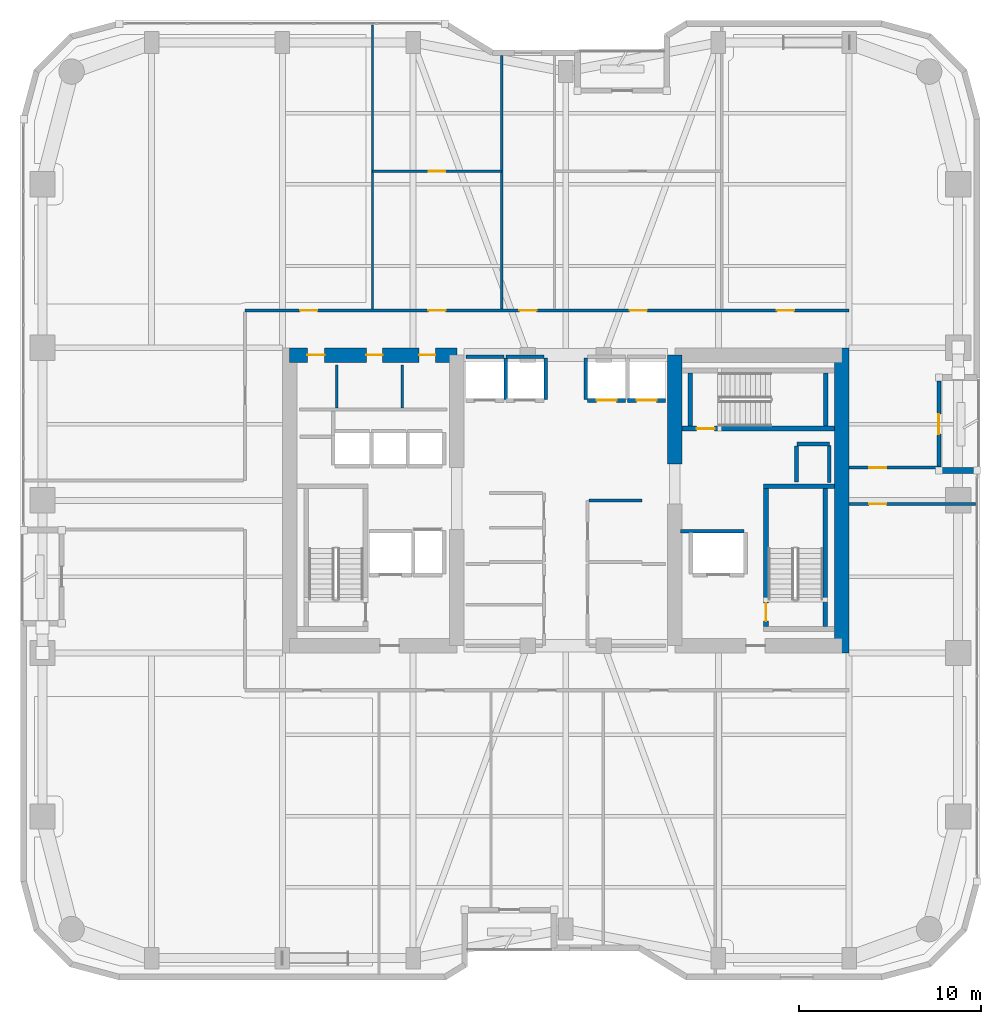
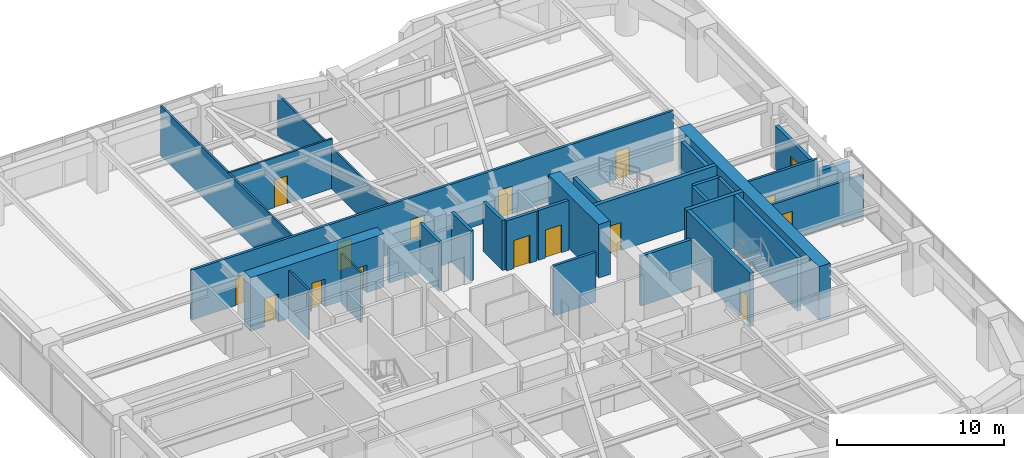
# One storey, part 20 of 24: 31 walls, 16 doors, 16 openings.
"""IFC4 building model written with IfcOpenShell, lengths in metres."""

from ifc_helpers import new_model, si_unit, direction, frame, frame_2d, origin, place, context, subcontext, project, spatial, rectangle, extrude, material, layer, layer_set, type_object, element, fill, save


model = new_model("IFC4")

# Units and contexts
model_context = context("Model", 3, precision=1e-05, world=origin(), true_north=direction((0.0, 1.0)))
body_context = subcontext(model_context, "Body", "Model", "MODEL_VIEW")
ifc_project = project(units=[si_unit("LENGTHUNIT", "METRE"), si_unit("AREAUNIT", "SQUARE_METRE"), si_unit("VOLUMEUNIT", "CUBIC_METRE"), si_unit("PLANEANGLEUNIT", "RADIAN"), si_unit("MASSUNIT", "GRAM", prefix="KILO")], contexts=[model_context])

# Site, building, storey
site_placement = place(None, origin())
site = spatial("IfcSite", under=ifc_project, at=site_placement, CompositionType="ELEMENT")
building_placement = place(site_placement, origin())
building = spatial("IfcBuilding", under=site, at=building_placement, Name="Kiyonajd Concourse Tower", CompositionType="ELEMENT")
storey_placement = place(building_placement, frame((0.0, 0.0, 137.699951171875)))
storey = spatial("IfcBuildingStorey", under=building, at=storey_placement, Name="L35", CompositionType="ELEMENT", Elevation=137.699951171875)

# Wall, openings, doors
ifc_material_1 = material(Name="Concrete C70/85", Category="concrete")
ifc_layer_1 = layer(ifc_material_1, 0.800048828125)
ifc_layer_set_1 = layer_set([ifc_layer_1], Name="Concrete C70/85")
wall_type_1 = type_object("IfcWallType", Name="WL-CORE-800", PredefinedType="SHEAR", material=ifc_layer_set_1)
wall_1_placement = place(storey_placement, frame((32.800048828125, 44.0, 0.0), z_axis=(0.0, 0.0, 1.0), x_axis=(1.0, 0.0, 0.0)))
wall_1 = element("IfcWall", 1, at=wall_1_placement, inside=storey, type_object=wall_type_1, Name="L35 West Core North Shear Wall", PredefinedType="SHEAR", context=body_context, shape_type="SweptSolid", body=[
    extrude(rectangle(XDim=9.199951171875, YDim=0.800048828125, at=frame_2d((4.60009765625, 0.0))), origin(), (0.0, 0.0, 1.0), 3.900146484375),
])
opening_1_placement = place(wall_1_placement, frame((0.97509765625, 0.0, 0.0)))
opening_1 = element("IfcOpeningElement", 2, at=opening_1_placement, cuts=wall_1, Name="Opening DI1", PredefinedType="OPENING", context=body_context, shape_type="SweptSolid", body=[
    extrude(rectangle(XDim=0.949951171875, YDim=2.0400390625, at=frame_2d((0.47509765625, 1.02001953125))), frame((0.0, 0.409912109375, 0.0), z_axis=(0.0, -1.0, 0.0), x_axis=(1.0, 0.0, 0.0)), (0.0, 0.0, 1.0), 0.820068359375),
])
opening_2_placement = place(wall_1_placement, frame((4.22509765625, 0.0, 0.0)))
opening_2 = element("IfcOpeningElement", 3, at=opening_2_placement, cuts=wall_1, Name="Opening DI2", PredefinedType="OPENING", context=body_context, shape_type="SweptSolid", body=[
    extrude(rectangle(XDim=0.89990234375, YDim=2.02001953125, at=frame_2d((0.449951171875, 1.010009765625))), frame((0.0, 0.409912109375, 0.0), z_axis=(0.0, -1.0, 0.0), x_axis=(1.0, 0.0, 0.0)), (0.0, 0.0, 1.0), 0.820068359375),
])
opening_3_placement = place(wall_1_placement, frame((7.125, 0.0, 0.0)))
opening_3 = element("IfcOpeningElement", 4, at=opening_3_placement, cuts=wall_1, Name="Opening DI2", PredefinedType="OPENING", context=body_context, shape_type="SweptSolid", body=[
    extrude(rectangle(XDim=0.89990234375, YDim=2.02001953125, at=frame_2d((0.449951171875, 1.010009765625))), frame((0.0, 0.409912109375, 0.0), z_axis=(0.0, -1.0, 0.0), x_axis=(1.0, 0.0, 0.0)), (0.0, 0.0, 1.0), 0.820068359375),
])
ifc_material_2 = material(Name="Natural Oak Acoustic Timber Veneer", Category="wood")
door_type_1 = type_object("IfcDoorType", Name="DR-INT-900", OperationType="NOTDEFINED", PredefinedType="DOOR", material=ifc_material_2)
door_1_placement = place(opening_2_placement, origin())
door_1 = element("IfcDoor", 5, at=door_1_placement, inside=storey, type_object=door_type_1, Name="L35 Male Restroom Door", OperationType="SINGLE_SWING_RIGHT", OverallHeight=2.02001953125, OverallWidth=0.89990234375, PredefinedType="DOOR", context=body_context, shape_type="SweptSolid", body=[
    extrude(rectangle(XDim=0.89990234375, YDim=2.02001953125, at=frame_2d((0.449951171875, 1.010009765625))), frame((0.0, 0.02490234375, 0.0), z_axis=(0.0, -1.0, 0.0), x_axis=(1.0, 0.0, 0.0)), (0.0, 0.0, 1.0), 0.050048828125),
])
fill(opening_2, door_1)
door_2_placement = place(opening_3_placement, origin())
door_2 = element("IfcDoor", 6, at=door_2_placement, inside=storey, type_object=door_type_1, Name="L35 Female Restroom Door", OperationType="SINGLE_SWING_LEFT", OverallHeight=2.02001953125, OverallWidth=0.89990234375, PredefinedType="DOOR", context=body_context, shape_type="SweptSolid", body=[
    extrude(rectangle(XDim=0.89990234375, YDim=2.02001953125, at=frame_2d((0.449951171875, 1.010009765625))), frame((0.0, 0.02490234375, 0.0), z_axis=(0.0, -1.0, 0.0), x_axis=(1.0, 0.0, 0.0)), (0.0, 0.0, 1.0), 0.050048828125),
])
fill(opening_3, door_2)
door_type_2 = type_object("IfcDoorType", Name="DR-INT-950", OperationType="NOTDEFINED", PredefinedType="DOOR", material=ifc_material_2)
door_3_placement = place(opening_1_placement, origin())
door_3 = element("IfcDoor", 7, at=door_3_placement, inside=storey, type_object=door_type_2, Name="L35 Single User Accessible WC Door", OperationType="SINGLE_SWING_LEFT", OverallHeight=2.0400390625, OverallWidth=0.949951171875, PredefinedType="DOOR", context=body_context, shape_type="SweptSolid", body=[
    extrude(rectangle(XDim=0.949951171875, YDim=2.0400390625, at=frame_2d((0.47509765625, 1.02001953125))), frame((0.0, 0.02490234375, 0.0), z_axis=(0.0, -1.0, 0.0), x_axis=(1.0, 0.0, 0.0)), (0.0, 0.0, 1.0), 0.050048828125),
])
fill(opening_1, door_3)

# Walls
wall_2_placement = place(storey_placement, frame((54.0, 38.0, 0.0), z_axis=(0.0, 0.0, 1.0), x_axis=(0.0, 1.0, 0.0)))
element("IfcWall", 8, at=wall_2_placement, inside=storey, type_object=wall_type_1, Name="L35 East Core Inner North Shear Wall", PredefinedType="SHEAR", context=body_context, shape_type="SweptSolid", body=[
    extrude(rectangle(XDim=6.0, YDim=0.800048828125, at=frame_2d((3.0, 0.0))), origin(), (0.0, 0.0, 1.0), 3.900146484375),
])
wall_3_placement = place(storey_placement, frame((63.199951171875, 27.60009765625, 0.0), z_axis=(0.0, 0.0, 1.0), x_axis=(0.0, 1.0, 0.0)))
element("IfcWall", 9, at=wall_3_placement, inside=storey, type_object=wall_type_1, Name="L35 East Core Outer Shear Wall", PredefinedType="SHEAR", context=body_context, shape_type="SweptSolid", body=[
    extrude(rectangle(XDim=16.7998046875, YDim=0.800048828125, at=frame_2d((8.39990234375, 0.0))), origin(), (0.0, 0.0, 1.0), 3.900146484375),
])
ifc_material_3 = material(Name="Precast concrete C50/60", Category="concrete")
ifc_layer_2 = layer(ifc_material_3, 0.320068359375)
ifc_layer_set_2 = layer_set([ifc_layer_2], Name="Precast concrete C50/60")
wall_type_2 = type_object("IfcWallType", Name="WL-EXT-320", PredefinedType="SOLIDWALL", material=ifc_layer_set_2)
wall_4_placement = place(storey_placement, frame((68.5400390625, 37.639892578125, 0.0), z_axis=(0.0, 0.0, 1.0), x_axis=(1.0, 0.0, 0.0)))
element("IfcWall", 10, at=wall_4_placement, inside=storey, type_object=wall_type_2, Name="L35 Exterior Concrete Frame Wall 23", PredefinedType="SOLIDWALL", context=body_context, shape_type="SweptSolid", body=[
    extrude(rectangle(XDim=2.099853515625, YDim=0.320068359375, at=frame_2d((1.0498046875, 0.0))), origin(), (0.0, 0.0, 1.0), 2.875),
])

# Wall, opening, door
ifc_layer_3 = layer(ifc_material_3, 0.239990234375)
ifc_layer_set_3 = layer_set([ifc_layer_3], Name="Precast concrete C50/60")
wall_type_3 = type_object("IfcWallType", Name="WL-LOG-240", PredefinedType="SOLIDWALL", material=ifc_layer_set_3)
wall_5_placement = place(storey_placement, frame((68.5400390625, 42.56494140625, 0.0), z_axis=(0.0, 0.0, 1.0), x_axis=(0.0, -1.0, 0.0)))
wall_5 = element("IfcWall", 11, at=wall_5_placement, inside=storey, type_object=wall_type_3, Name="L35 Recessed Loggia Thermal Wall LOG-E", PredefinedType="SOLIDWALL", context=body_context, shape_type="SweptSolid", body=[
    extrude(rectangle(XDim=4.72998046875, YDim=0.239990234375, at=frame_2d((2.364990234375, 0.0))), origin(), (0.0, 0.0, 1.0), 3.162109375),
])
opening_4_placement = place(wall_5_placement, frame((1.81494140625, 0.0, 0.0)))
opening_4 = element("IfcOpeningElement", 12, at=opening_4_placement, cuts=wall_5, Name="Opening DL2", PredefinedType="OPENING", context=body_context, shape_type="SweptSolid", body=[
    extrude(rectangle(XDim=1.10009765625, YDim=2.0400390625, at=frame_2d((0.550048828125, 1.02001953125))), frame((0.0, 0.1298828125, 0.0), z_axis=(0.0, -1.0, 0.0), x_axis=(1.0, 0.0, 0.0)), (0.0, 0.0, 1.0), 0.260009765625),
])
ifc_material_4 = material(Name="Thermally Broken Anodised Aluminium", Category="aluminium")
door_type_3 = type_object("IfcDoorType", Name="DR-LOG-1100", OperationType="NOTDEFINED", PredefinedType="DOOR", material=ifc_material_4)
door_4_placement = place(opening_4_placement, origin())
door_4 = element("IfcDoor", 13, at=door_4_placement, inside=storey, type_object=door_type_3, Name="L35 Engawa Loggia Access Door LOG-E", OperationType="SINGLE_SWING_LEFT", OverallHeight=2.0400390625, OverallWidth=1.10009765625, PredefinedType="DOOR", context=body_context, shape_type="SweptSolid", body=[
    extrude(rectangle(XDim=1.10009765625, YDim=2.0400390625, at=frame_2d((0.550048828125, 1.02001953125))), frame((0.0, 0.02490234375, 0.0), z_axis=(0.0, -1.0, 0.0), x_axis=(1.0, 0.0, 0.0)), (0.0, 0.0, 1.0), 0.050048828125),
])
fill(opening_4, door_4)

# Walls
ifc_material_5 = material(Name="Gypsum Board on Cold-Formed Steel Stud", Category="steel")
ifc_layer_4 = layer(ifc_material_5, 0.125)
ifc_layer_set_4 = layer_set([ifc_layer_4], Name="Gypsum Board on Cold-Formed Steel Stud")
wall_type_4 = type_object("IfcWallType", Name="WL-PART-125", PredefinedType="PARTITIONING", material=ifc_layer_set_4)
for number, where, z_axis, x_axis, name in (
    (14, (35.39990234375, 41.094970703125, 0.0), (0.0, 0.0, 1.0), (0.0, 1.0, 0.0), "L35 Interior Partition Wall"),
    (15, (39.0, 41.094970703125, 0.0), (0.0, 0.0, 1.0), (0.0, 1.0, 0.0), "L35 Interior Partition Wall"),
):
    element("IfcWall", number, at=place(storey_placement, frame(where, z_axis=z_axis, x_axis=x_axis)), inside=storey, type_object=wall_type_4, Name=name, PredefinedType="PARTITIONING", context=body_context, shape_type="SweptSolid", body=[
        extrude(rectangle(XDim=2.35498046875, YDim=0.125, at=frame_2d((1.177490234375, 0.0))), origin(), (0.0, 0.0, 1.0), 3.64013671875),
    ])

# Wall, opening, door
wall_6_placement = place(storey_placement, frame((37.360107421875, 54.110107421875, 0.0), z_axis=(0.0, 0.0, 1.0), x_axis=(1.0, 0.0, 0.0)))
wall_6 = element("IfcWall", 16, at=wall_6_placement, inside=storey, type_object=wall_type_4, Name="L35 Interior Partition Wall", PredefinedType="PARTITIONING", context=body_context, shape_type="SweptSolid", body=[
    extrude(rectangle(XDim=7.10986328125, YDim=0.125, at=frame_2d((3.554931640625, 0.0))), origin(), (0.0, 0.0, 1.0), 3.64013671875),
])
opening_5_placement = place(wall_6_placement, frame((3.10498046875, 0.0, 0.0)))
opening_5 = element("IfcOpeningElement", 17, at=opening_5_placement, cuts=wall_6, Name="Opening DI2", PredefinedType="OPENING", context=body_context, shape_type="SweptSolid", body=[
    extrude(rectangle(XDim=0.89990234375, YDim=2.02001953125, at=frame_2d((0.449951171875, 1.010009765625))), frame((0.0, 0.072509765625, 0.0), z_axis=(0.0, -1.0, 0.0), x_axis=(1.0, 0.0, 0.0)), (0.0, 0.0, 1.0), 0.14501953125),
])
door_5_placement = place(opening_5_placement, origin())
door_5 = element("IfcDoor", 18, at=door_5_placement, inside=storey, type_object=door_type_1, Name="L35 Interior Door", OperationType="SINGLE_SWING_RIGHT", OverallHeight=2.02001953125, OverallWidth=0.89990234375, PredefinedType="DOOR", context=body_context, shape_type="SweptSolid", body=[
    extrude(rectangle(XDim=0.89990234375, YDim=2.02001953125, at=frame_2d((0.449951171875, 1.010009765625))), frame((0.0, 0.02490234375, 0.0), z_axis=(0.0, -1.0, 0.0), x_axis=(1.0, 0.0, 0.0)), (0.0, 0.0, 1.0), 0.050048828125),
])
fill(opening_5, door_5)

# Walls
wall_7_placement = place(storey_placement, frame((37.360107421875, 46.537109375, 0.0), z_axis=(0.0, 0.0, 1.0), x_axis=(0.0, 1.0, 0.0)))
element("IfcWall", 19, at=wall_7_placement, inside=storey, type_object=wall_type_4, Name="L35 Interior Partition Wall", PredefinedType="PARTITIONING", context=body_context, shape_type="SweptSolid", body=[
    extrude(rectangle(XDim=15.617919921875, YDim=0.125, at=frame_2d((7.80908203125, 0.0))), origin(), (0.0, 0.0, 1.0), 3.64013671875),
])
wall_8_placement = place(storey_placement, frame((44.469970703125, 46.537109375, 0.0), z_axis=(0.0, 0.0, 1.0), x_axis=(0.0, 1.0, 0.0)))
element("IfcWall", 20, at=wall_8_placement, inside=storey, type_object=wall_type_4, Name="L35 Interior Partition Wall", PredefinedType="PARTITIONING", context=body_context, shape_type="SweptSolid", body=[
    extrude(rectangle(XDim=13.947998046875, YDim=0.125, at=frame_2d((6.97412109375, 0.0))), origin(), (0.0, 0.0, 1.0), 3.0029296875),
])
ifc_layer_5 = layer(ifc_material_5, 0.2099609375)
ifc_layer_set_5 = layer_set([ifc_layer_5], Name="Gypsum Board on Cold-Formed Steel Stud")
wall_type_5 = type_object("IfcWallType", Name="WL-SHAFT-210", PredefinedType="PARTITIONING", material=ifc_layer_set_5)
wall_9_placement = place(storey_placement, frame((60.719970703125, 39.10009765625, 0.0), z_axis=(0.0, 0.0, 1.0), x_axis=(1.0, 0.0, 0.0)))
element("IfcWall", 21, at=wall_9_placement, inside=storey, type_object=wall_type_5, Name="L35 Shaft Enclosure Wall", PredefinedType="PARTITIONING", context=body_context, shape_type="SweptSolid", body=[
    extrude(rectangle(XDim=1.800048828125, YDim=0.2099609375, at=frame_2d((0.89990234375, 0.0))), origin(), (0.0, 0.0, 1.0), 3.64013671875),
])
wall_10_placement = place(storey_placement, frame((60.699951171875, 37.02001953125, 0.0), z_axis=(0.0, 0.0, 1.0), x_axis=(0.0, 1.0, 0.0)))
element("IfcWall", 22, at=wall_10_placement, inside=storey, type_object=wall_type_5, Name="L35 Shaft Enclosure Wall", PredefinedType="PARTITIONING", context=body_context, shape_type="SweptSolid", body=[
    extrude(rectangle(XDim=1.9599609375, YDim=0.2099609375, at=frame_2d((0.97998046875, 0.0))), origin(), (0.0, 0.0, 1.0), 3.64013671875),
])
wall_11_placement = place(storey_placement, frame((62.5, 36.97998046875, 0.0), z_axis=(0.0, 0.0, 1.0), x_axis=(0.0, 1.0, 0.0)))
element("IfcWall", 23, at=wall_11_placement, inside=storey, type_object=wall_type_5, Name="L35 Shaft Enclosure Wall", PredefinedType="PARTITIONING", context=body_context, shape_type="SweptSolid", body=[
    extrude(rectangle(XDim=2.0400390625, YDim=0.2099609375, at=frame_2d((1.02001953125, 0.0))), origin(), (0.0, 0.0, 1.0), 3.64013671875),
])
wall_12_placement = place(storey_placement, frame((54.320068359375, 34.300048828125, 0.0), z_axis=(0.0, 0.0, 1.0), x_axis=(1.0, 0.0, 0.0)))
element("IfcWall", 24, at=wall_12_placement, inside=storey, type_object=wall_type_5, Name="L35 Shaft Enclosure Wall", PredefinedType="PARTITIONING", context=body_context, shape_type="SweptSolid", body=[
    extrude(rectangle(XDim=3.47998046875, YDim=0.2099609375, at=frame_2d((1.739990234375, 0.0))), origin(), (0.0, 0.0, 1.0), 3.64013671875),
])
wall_13_placement = place(storey_placement, frame((42.5, 43.89990234375, 0.0), z_axis=(0.0, 0.0, 1.0), x_axis=(1.0, 0.0, 0.0)))
element("IfcWall", 25, at=wall_13_placement, inside=storey, type_object=wall_type_5, Name="L35 Shaft Enclosure Wall", PredefinedType="PARTITIONING", context=body_context, shape_type="SweptSolid", body=[
    extrude(rectangle(XDim=2.10009765625, YDim=0.2099609375, at=frame_2d((1.050048828125, 0.0))), origin(), (0.0, 0.0, 1.0), 2.525146484375),
])
wall_14_placement = place(storey_placement, frame((44.699951171875, 41.56005859375, 0.0), z_axis=(0.0, 0.0, 1.0), x_axis=(0.0, 1.0, 0.0)))
element("IfcWall", 26, at=wall_14_placement, inside=storey, type_object=wall_type_5, Name="L35 Shaft Enclosure Wall", PredefinedType="PARTITIONING", context=body_context, shape_type="SweptSolid", body=[
    extrude(rectangle(XDim=2.280029296875, YDim=0.2099609375, at=frame_2d((1.14013671875, 0.0))), origin(), (0.0, 0.0, 1.0), 3.64013671875),
])
wall_15_placement = place(storey_placement, frame((44.699951171875, 43.89990234375, 0.0), z_axis=(0.0, 0.0, 1.0), x_axis=(1.0, 0.0, 0.0)))
element("IfcWall", 27, at=wall_15_placement, inside=storey, type_object=wall_type_5, Name="L35 Shaft Enclosure Wall", PredefinedType="PARTITIONING", context=body_context, shape_type="SweptSolid", body=[
    extrude(rectangle(XDim=2.10009765625, YDim=0.2099609375, at=frame_2d((1.050048828125, 0.0))), origin(), (0.0, 0.0, 1.0), 2.525146484375),
])
wall_16_placement = place(storey_placement, frame((46.89990234375, 41.56005859375, 0.0), z_axis=(0.0, 0.0, 1.0), x_axis=(0.0, 1.0, 0.0)))
element("IfcWall", 28, at=wall_16_placement, inside=storey, type_object=wall_type_5, Name="L35 Shaft Enclosure Wall", PredefinedType="PARTITIONING", context=body_context, shape_type="SweptSolid", body=[
    extrude(rectangle(XDim=2.280029296875, YDim=0.2099609375, at=frame_2d((1.14013671875, 0.0))), origin(), (0.0, 0.0, 1.0), 3.64013671875),
])

# Wall, opening, door
wall_17_placement = place(storey_placement, frame((49.199951171875, 41.5, 0.0), z_axis=(0.0, 0.0, 1.0), x_axis=(1.0, 0.0, 0.0)))
wall_17 = element("IfcWall", 29, at=wall_17_placement, inside=storey, type_object=wall_type_5, Name="L35 Shaft Enclosure Wall", PredefinedType="PARTITIONING", context=body_context, shape_type="SweptSolid", body=[
    extrude(rectangle(XDim=2.10009765625, YDim=0.2099609375, at=frame_2d((1.050048828125, 0.0))), origin(), (0.0, 0.0, 1.0), 3.64013671875),
])
opening_6_placement = place(wall_17_placement, frame((0.5, 0.0, 0.0)))
opening_6 = element("IfcOpeningElement", 30, at=opening_6_placement, cuts=wall_17, Name="Opening LD1", PredefinedType="OPENING", context=body_context, shape_type="SweptSolid", body=[
    extrude(rectangle(XDim=1.10009765625, YDim=2.0400390625, at=frame_2d((0.550048828125, 1.02001953125))), frame((0.0, 0.114990234375, 0.0), z_axis=(0.0, -1.0, 0.0), x_axis=(1.0, 0.0, 0.0)), (0.0, 0.0, 1.0), 0.22998046875),
])
ifc_material_6 = material(Name="Brushed Stainless Steel Cab Assembly", Category="steel")
door_type_4 = type_object("IfcDoorType", Name="DR-LD-1100", OperationType="DOUBLE_DOOR_SLIDING", PredefinedType="DOOR", material=ifc_material_6)
door_6_placement = place(opening_6_placement, origin())
door_6 = element("IfcDoor", 31, at=door_6_placement, inside=storey, type_object=door_type_4, Name="L35 Lift PL-M3 Sliding Landing Door", OperationType="DOUBLE_DOOR_SLIDING", OverallHeight=2.0400390625, OverallWidth=1.10009765625, PredefinedType="DOOR", context=body_context, shape_type="SweptSolid", body=[
    extrude(rectangle(XDim=1.10009765625, YDim=2.0400390625, at=frame_2d((0.550048828125, 1.02001953125))), frame((0.0, 0.02490234375, 0.0), z_axis=(0.0, -1.0, 0.0), x_axis=(1.0, 0.0, 0.0)), (0.0, 0.0, 1.0), 0.050048828125),
])
fill(opening_6, door_6)

# Wall
wall_18_placement = place(storey_placement, frame((49.10009765625, 41.56005859375, 0.0), z_axis=(0.0, 0.0, 1.0), x_axis=(0.0, 1.0, 0.0)))
element("IfcWall", 32, at=wall_18_placement, inside=storey, type_object=wall_type_5, Name="L35 Shaft Enclosure Wall", PredefinedType="PARTITIONING", context=body_context, shape_type="SweptSolid", body=[
    extrude(rectangle(XDim=2.280029296875, YDim=0.2099609375, at=frame_2d((1.14013671875, 0.0))), origin(), (0.0, 0.0, 1.0), 3.64013671875),
])

# Wall, opening, door
wall_19_placement = place(storey_placement, frame((51.39990234375, 41.5, 0.0), z_axis=(0.0, 0.0, 1.0), x_axis=(1.0, 0.0, 0.0)))
wall_19 = element("IfcWall", 33, at=wall_19_placement, inside=storey, type_object=wall_type_5, Name="L35 Shaft Enclosure Wall", PredefinedType="PARTITIONING", context=body_context, shape_type="SweptSolid", body=[
    extrude(rectangle(XDim=2.10009765625, YDim=0.2099609375, at=frame_2d((1.050048828125, 0.0))), origin(), (0.0, 0.0, 1.0), 3.64013671875),
])
opening_7_placement = place(wall_19_placement, frame((0.5, 0.0, 0.0)))
opening_7 = element("IfcOpeningElement", 34, at=opening_7_placement, cuts=wall_19, Name="Opening LD1", PredefinedType="OPENING", context=body_context, shape_type="SweptSolid", body=[
    extrude(rectangle(XDim=1.10009765625, YDim=2.0400390625, at=frame_2d((0.550048828125, 1.02001953125))), frame((0.0, 0.114990234375, 0.0), z_axis=(0.0, -1.0, 0.0), x_axis=(1.0, 0.0, 0.0)), (0.0, 0.0, 1.0), 0.22998046875),
])
door_7_placement = place(opening_7_placement, origin())
door_7 = element("IfcDoor", 35, at=door_7_placement, inside=storey, type_object=door_type_4, Name="L35 Lift PL-M4 Sliding Landing Door", OperationType="DOUBLE_DOOR_SLIDING", OverallHeight=2.0400390625, OverallWidth=1.10009765625, PredefinedType="DOOR", context=body_context, shape_type="SweptSolid", body=[
    extrude(rectangle(XDim=1.10009765625, YDim=2.0400390625, at=frame_2d((0.550048828125, 1.02001953125))), frame((0.0, 0.02490234375, 0.0), z_axis=(0.0, -1.0, 0.0), x_axis=(1.0, 0.0, 0.0)), (0.0, 0.0, 1.0), 0.050048828125),
])
fill(opening_7, door_7)

# Wall
ifc_layer_6 = layer(ifc_material_5, 0.169921875)
ifc_layer_set_6 = layer_set([ifc_layer_6], Name="Gypsum Board on Cold-Formed Steel Stud")
wall_type_6 = type_object("IfcWallType", Name="WL-SMK-170", PredefinedType="PARTITIONING", material=ifc_layer_set_6)
wall_20_placement = place(storey_placement, frame((49.287109375, 36.0, 0.0), z_axis=(0.0, 0.0, 1.0), x_axis=(1.0, 0.0, 0.0)))
element("IfcWall", 36, at=wall_20_placement, inside=storey, type_object=wall_type_6, Name="L35 Interior Partition Wall", PredefinedType="PARTITIONING", context=body_context, shape_type="SweptSolid", body=[
    extrude(rectangle(XDim=2.912841796875, YDim=0.169921875, at=frame_2d((1.45654296875, 0.0))), origin(), (0.0, 0.0, 1.0), 3.64013671875),
])

# Wall, openings, doors
wall_21_placement = place(storey_placement, frame((30.35009765625, 46.449951171875, 0.0), z_axis=(0.0, 0.0, 1.0), x_axis=(1.0, 0.0, 0.0)))
wall_21 = element("IfcWall", 37, at=wall_21_placement, inside=storey, type_object=wall_type_6, Name="L35 Interior Partition Wall", PredefinedType="PARTITIONING", context=body_context, shape_type="SweptSolid", body=[
    extrude(rectangle(XDim=33.25, YDim=0.169921875, at=frame_2d((16.625, 0.0))), origin(), (0.0, 0.0, 1.0), 3.64013671875),
])
opening_8_placement = place(wall_21_placement, frame((3.030029296875, 0.0, 0.0)))
opening_8 = element("IfcOpeningElement", 38, at=opening_8_placement, cuts=wall_21, Name="Opening DI1", PredefinedType="OPENING", context=body_context, shape_type="SweptSolid", body=[
    extrude(rectangle(XDim=0.949951171875, YDim=2.0400390625, at=frame_2d((0.47509765625, 1.02001953125))), frame((0.0, 0.094970703125, 0.0), z_axis=(0.0, -1.0, 0.0), x_axis=(1.0, 0.0, 0.0)), (0.0, 0.0, 1.0), 0.18994140625),
])
opening_9_placement = place(wall_21_placement, frame((10.090087890625, 0.0, 0.0)))
opening_9 = element("IfcOpeningElement", 39, at=opening_9_placement, cuts=wall_21, Name="Opening DI1", PredefinedType="OPENING", context=body_context, shape_type="SweptSolid", body=[
    extrude(rectangle(XDim=0.949951171875, YDim=2.0400390625, at=frame_2d((0.47509765625, 1.02001953125))), frame((0.0, 0.094970703125, 0.0), z_axis=(0.0, -1.0, 0.0), x_axis=(1.0, 0.0, 0.0)), (0.0, 0.0, 1.0), 0.18994140625),
])
opening_10_placement = place(wall_21_placement, frame((15.10009765625, 0.0, 0.0)))
opening_10 = element("IfcOpeningElement", 40, at=opening_10_placement, cuts=wall_21, Name="Opening DI1", PredefinedType="OPENING", context=body_context, shape_type="SweptSolid", body=[
    extrude(rectangle(XDim=0.949951171875, YDim=2.0400390625, at=frame_2d((0.47509765625, 1.02001953125))), frame((0.0, 0.094970703125, 0.0), z_axis=(0.0, -1.0, 0.0), x_axis=(1.0, 0.0, 0.0)), (0.0, 0.0, 1.0), 0.18994140625),
])
opening_11_placement = place(wall_21_placement, frame((21.159912109375, 0.0, 0.0)))
opening_11 = element("IfcOpeningElement", 41, at=opening_11_placement, cuts=wall_21, Name="Opening DI1", PredefinedType="OPENING", context=body_context, shape_type="SweptSolid", body=[
    extrude(rectangle(XDim=0.949951171875, YDim=2.0400390625, at=frame_2d((0.47509765625, 1.02001953125))), frame((0.0, 0.094970703125, 0.0), z_axis=(0.0, -1.0, 0.0), x_axis=(1.0, 0.0, 0.0)), (0.0, 0.0, 1.0), 0.18994140625),
])
opening_12_placement = place(wall_21_placement, frame((29.27001953125, 0.0, 0.0)))
opening_12 = element("IfcOpeningElement", 42, at=opening_12_placement, cuts=wall_21, Name="Opening DI1", PredefinedType="OPENING", context=body_context, shape_type="SweptSolid", body=[
    extrude(rectangle(XDim=0.949951171875, YDim=2.0400390625, at=frame_2d((0.47509765625, 1.02001953125))), frame((0.0, 0.094970703125, 0.0), z_axis=(0.0, -1.0, 0.0), x_axis=(1.0, 0.0, 0.0)), (0.0, 0.0, 1.0), 0.18994140625),
])
door_8_placement = place(opening_8_placement, origin())
door_8 = element("IfcDoor", 43, at=door_8_placement, inside=storey, type_object=door_type_2, Name="L35 Interior Door", OperationType="SINGLE_SWING_LEFT", OverallHeight=2.0400390625, OverallWidth=0.949951171875, PredefinedType="DOOR", context=body_context, shape_type="SweptSolid", body=[
    extrude(rectangle(XDim=0.949951171875, YDim=2.0400390625, at=frame_2d((0.47509765625, 1.02001953125))), frame((0.0, 0.02490234375, 0.0), z_axis=(0.0, -1.0, 0.0), x_axis=(1.0, 0.0, 0.0)), (0.0, 0.0, 1.0), 0.050048828125),
])
fill(opening_8, door_8)
door_9_placement = place(opening_9_placement, origin())
door_9 = element("IfcDoor", 44, at=door_9_placement, inside=storey, type_object=door_type_2, Name="L35 Interior Door", OperationType="SINGLE_SWING_LEFT", OverallHeight=2.0400390625, OverallWidth=0.949951171875, PredefinedType="DOOR", context=body_context, shape_type="SweptSolid", body=[
    extrude(rectangle(XDim=0.949951171875, YDim=2.0400390625, at=frame_2d((0.47509765625, 1.02001953125))), frame((0.0, 0.02490234375, 0.0), z_axis=(0.0, -1.0, 0.0), x_axis=(1.0, 0.0, 0.0)), (0.0, 0.0, 1.0), 0.050048828125),
])
fill(opening_9, door_9)
door_10_placement = place(opening_10_placement, origin())
door_10 = element("IfcDoor", 45, at=door_10_placement, inside=storey, type_object=door_type_2, Name="L35 Interior Door", OperationType="SINGLE_SWING_RIGHT", OverallHeight=2.0400390625, OverallWidth=0.949951171875, PredefinedType="DOOR", context=body_context, shape_type="SweptSolid", body=[
    extrude(rectangle(XDim=0.949951171875, YDim=2.0400390625, at=frame_2d((0.47509765625, 1.02001953125))), frame((0.0, 0.02490234375, 0.0), z_axis=(0.0, -1.0, 0.0), x_axis=(1.0, 0.0, 0.0)), (0.0, 0.0, 1.0), 0.050048828125),
])
fill(opening_10, door_10)
door_11_placement = place(opening_11_placement, origin())
door_11 = element("IfcDoor", 46, at=door_11_placement, inside=storey, type_object=door_type_2, Name="L35 Interior Door", OperationType="SINGLE_SWING_RIGHT", OverallHeight=2.0400390625, OverallWidth=0.949951171875, PredefinedType="DOOR", context=body_context, shape_type="SweptSolid", body=[
    extrude(rectangle(XDim=0.949951171875, YDim=2.0400390625, at=frame_2d((0.47509765625, 1.02001953125))), frame((0.0, 0.02490234375, 0.0), z_axis=(0.0, -1.0, 0.0), x_axis=(1.0, 0.0, 0.0)), (0.0, 0.0, 1.0), 0.050048828125),
])
fill(opening_11, door_11)
door_12_placement = place(opening_12_placement, origin())
door_12 = element("IfcDoor", 47, at=door_12_placement, inside=storey, type_object=door_type_2, Name="L35 Interior Door", OperationType="SINGLE_SWING_LEFT", OverallHeight=2.0400390625, OverallWidth=0.949951171875, PredefinedType="DOOR", context=body_context, shape_type="SweptSolid", body=[
    extrude(rectangle(XDim=0.949951171875, YDim=2.0400390625, at=frame_2d((0.47509765625, 1.02001953125))), frame((0.0, 0.02490234375, 0.0), z_axis=(0.0, -1.0, 0.0), x_axis=(1.0, 0.0, 0.0)), (0.0, 0.0, 1.0), 0.050048828125),
])
fill(opening_12, door_12)

# Wall, opening, door
wall_22_placement = place(storey_placement, frame((63.60009765625, 35.800048828125, 0.0), z_axis=(0.0, 0.0, 1.0), x_axis=(1.0, 0.0, 0.0)))
wall_22 = element("IfcWall", 48, at=wall_22_placement, inside=storey, type_object=wall_type_6, Name="L35 Interior Partition Wall", PredefinedType="PARTITIONING", context=body_context, shape_type="SweptSolid", body=[
    extrude(rectangle(XDim=6.954833984375, YDim=0.169921875, at=frame_2d((3.4775390625, 0.0))), origin(), (0.0, 0.0, 1.0), 3.0029296875),
])
opening_13_placement = place(wall_22_placement, frame((1.10009765625, 0.0, 0.0)))
opening_13 = element("IfcOpeningElement", 49, at=opening_13_placement, cuts=wall_22, Name="Opening DI1", PredefinedType="OPENING", context=body_context, shape_type="SweptSolid", body=[
    extrude(rectangle(XDim=0.949951171875, YDim=2.0400390625, at=frame_2d((0.47509765625, 1.02001953125))), frame((0.0, 0.094970703125, 0.0), z_axis=(0.0, -1.0, 0.0), x_axis=(1.0, 0.0, 0.0)), (0.0, 0.0, 1.0), 0.18994140625),
])
door_13_placement = place(opening_13_placement, origin())
door_13 = element("IfcDoor", 50, at=door_13_placement, inside=storey, type_object=door_type_2, Name="L35 Interior Door", OperationType="SINGLE_SWING_RIGHT", OverallHeight=2.0400390625, OverallWidth=0.949951171875, PredefinedType="DOOR", context=body_context, shape_type="SweptSolid", body=[
    extrude(rectangle(XDim=0.949951171875, YDim=2.0400390625, at=frame_2d((0.47509765625, 1.02001953125))), frame((0.0, 0.02490234375, 0.0), z_axis=(0.0, -1.0, 0.0), x_axis=(1.0, 0.0, 0.0)), (0.0, 0.0, 1.0), 0.050048828125),
])
fill(opening_13, door_13)

wall_23_placement = place(storey_placement, frame((63.60009765625, 37.800048828125, 0.0), z_axis=(0.0, 0.0, 1.0), x_axis=(1.0, 0.0, 0.0)))
wall_23 = element("IfcWall", 51, at=wall_23_placement, inside=storey, type_object=wall_type_6, Name="L35 Interior Partition Wall", PredefinedType="PARTITIONING", context=body_context, shape_type="SweptSolid", body=[
    extrude(rectangle(XDim=4.93994140625, YDim=0.169921875, at=frame_2d((2.469970703125, 0.0))), origin(), (0.0, 0.0, 1.0), 3.64013671875),
])
opening_14_placement = place(wall_23_placement, frame((1.10009765625, 0.0, 0.0)))
opening_14 = element("IfcOpeningElement", 52, at=opening_14_placement, cuts=wall_23, Name="Opening DI1", PredefinedType="OPENING", context=body_context, shape_type="SweptSolid", body=[
    extrude(rectangle(XDim=0.949951171875, YDim=2.0400390625, at=frame_2d((0.47509765625, 1.02001953125))), frame((0.0, 0.094970703125, 0.0), z_axis=(0.0, -1.0, 0.0), x_axis=(1.0, 0.0, 0.0)), (0.0, 0.0, 1.0), 0.18994140625),
])
door_14_placement = place(opening_14_placement, origin())
door_14 = element("IfcDoor", 53, at=door_14_placement, inside=storey, type_object=door_type_2, Name="L35 Interior Door", OperationType="SINGLE_SWING_LEFT", OverallHeight=2.0400390625, OverallWidth=0.949951171875, PredefinedType="DOOR", context=body_context, shape_type="SweptSolid", body=[
    extrude(rectangle(XDim=0.949951171875, YDim=2.0400390625, at=frame_2d((0.47509765625, 1.02001953125))), frame((0.0, 0.02490234375, 0.0), z_axis=(0.0, -1.0, 0.0), x_axis=(1.0, 0.0, 0.0)), (0.0, 0.0, 1.0), 0.050048828125),
])
fill(opening_14, door_14)

# Wall
ifc_material_7 = material(Name="Concrete C50/60", Category="concrete")
ifc_layer_7 = layer(ifc_material_7, 0.260009765625)
ifc_layer_set_7 = layer_set([ifc_layer_7], Name="Concrete C50/60")
wall_type_7 = type_object("IfcWallType", Name="WL-STAIR-260", PredefinedType="SHEAR", material=ifc_layer_set_7)
wall_24_placement = place(storey_placement, frame((58.889892578125, 36.780029296875, 0.0), z_axis=(0.0, 0.0, 1.0), x_axis=(1.0, 0.0, 0.0)))
element("IfcWall", 54, at=wall_24_placement, inside=storey, type_object=wall_type_7, Name="L35 Stair ST2 Structural North Wall", PredefinedType="SHEAR", context=body_context, shape_type="SweptSolid", body=[
    extrude(rectangle(XDim=3.91015625, YDim=0.260009765625, at=frame_2d((1.955078125, 0.0))), origin(), (0.0, 0.0, 1.0), 3.900146484375),
])

# Wall, opening, door
wall_25_placement = place(storey_placement, frame((59.02001953125, 29.050048828125, 0.0), z_axis=(0.0, 0.0, 1.0), x_axis=(0.0, 1.0, 0.0)))
wall_25 = element("IfcWall", 55, at=wall_25_placement, inside=storey, type_object=wall_type_7, Name="L35 Stair ST2 Structural West Wall", PredefinedType="SHEAR", context=body_context, shape_type="SweptSolid", body=[
    extrude(rectangle(XDim=7.599853515625, YDim=0.260009765625, at=frame_2d((3.7998046875, 0.0))), origin(), (0.0, 0.0, 1.0), 3.900146484375),
])
opening_15_placement = place(wall_25_placement, frame((0.300048828125, 0.0, 0.0)))
opening_15 = element("IfcOpeningElement", 56, at=opening_15_placement, cuts=wall_25, Name="Opening DF1", PredefinedType="OPENING", context=body_context, shape_type="SweptSolid", body=[
    extrude(rectangle(XDim=1.0, YDim=2.0400390625, at=frame_2d((0.5, 1.02001953125))), frame((0.0, 0.139892578125, 0.0), z_axis=(0.0, -1.0, 0.0), x_axis=(1.0, 0.0, 0.0)), (0.0, 0.0, 1.0), 0.280029296875),
])
door_type_5 = type_object("IfcDoorType", Name="DR-FD90-1000", OperationType="NOTDEFINED", PredefinedType="DOOR", material=ifc_material_6)
door_15_placement = place(opening_15_placement, origin())
door_15 = element("IfcDoor", 57, at=door_15_placement, inside=storey, type_object=door_type_5, Name="L35 Stair ST2 FSAE Door", OperationType="SINGLE_SWING_RIGHT", OverallHeight=2.0400390625, OverallWidth=1.0, PredefinedType="DOOR", context=body_context, shape_type="SweptSolid", body=[
    extrude(rectangle(XDim=1.0, YDim=2.0400390625, at=frame_2d((0.5, 1.02001953125))), frame((0.0, 0.02490234375, 0.0), z_axis=(0.0, -1.0, 0.0), x_axis=(1.0, 0.0, 0.0)), (0.0, 0.0, 1.0), 0.050048828125),
])
fill(opening_15, door_15)

# Wall
wall_26_placement = place(storey_placement, frame((62.280029296875, 29.050048828125, 0.0), z_axis=(0.0, 0.0, 1.0), x_axis=(0.0, 1.0, 0.0)))
element("IfcWall", 58, at=wall_26_placement, inside=storey, type_object=wall_type_7, Name="L35 Stair ST2 Structural East Wall", PredefinedType="SHEAR", context=body_context, shape_type="SweptSolid", body=[
    extrude(rectangle(XDim=7.599853515625, YDim=0.260009765625, at=frame_2d((3.7998046875, 0.0))), origin(), (0.0, 0.0, 1.0), 3.900146484375),
])

# Wall, opening, door
wall_27_placement = place(storey_placement, frame((54.39990234375, 39.949951171875, 0.0), z_axis=(0.0, 0.0, 1.0), x_axis=(1.0, 0.0, 0.0)))
wall_27 = element("IfcWall", 59, at=wall_27_placement, inside=storey, type_object=wall_type_7, Name="L35 Stair ST3 Structural South Wall", PredefinedType="SHEAR", context=body_context, shape_type="SweptSolid", body=[
    extrude(rectangle(XDim=8.400146484375, YDim=0.260009765625, at=frame_2d((4.2001953125, 0.0))), origin(), (0.0, 0.0, 1.0), 3.900146484375),
])
opening_16_placement = place(wall_27_placement, frame((0.800048828125, 0.0, 0.0)))
opening_16 = element("IfcOpeningElement", 60, at=opening_16_placement, cuts=wall_27, Name="Opening DF1", PredefinedType="OPENING", context=body_context, shape_type="SweptSolid", body=[
    extrude(rectangle(XDim=1.0, YDim=2.0400390625, at=frame_2d((0.5, 1.02001953125))), frame((0.0, 0.139892578125, 0.0), z_axis=(0.0, -1.0, 0.0), x_axis=(1.0, 0.0, 0.0)), (0.0, 0.0, 1.0), 0.280029296875),
])
door_16_placement = place(opening_16_placement, origin())
door_16 = element("IfcDoor", 61, at=door_16_placement, inside=storey, type_object=door_type_5, Name="L35 Stair ST3 Enclosure Door", OperationType="SINGLE_SWING_LEFT", OverallHeight=2.0400390625, OverallWidth=1.0, PredefinedType="DOOR", context=body_context, shape_type="SweptSolid", body=[
    extrude(rectangle(XDim=1.0, YDim=2.0400390625, at=frame_2d((0.5, 1.02001953125))), frame((0.0, 0.02490234375, 0.0), z_axis=(0.0, -1.0, 0.0), x_axis=(1.0, 0.0, 0.0)), (0.0, 0.0, 1.0), 0.050048828125),
])
fill(opening_16, door_16)

# Walls
for number, where, z_axis, x_axis, name in (
    (62, (54.85009765625, 40.080078125, 0.0), (0.0, 0.0, 1.0), (0.0, 1.0, 0.0), "L35 Stair ST3 Structural West Wall"),
    (63, (62.31005859375, 40.080078125, 0.0), (0.0, 0.0, 1.0), (0.0, 1.0, 0.0), "L35 Stair ST3 Structural East Wall"),
):
    element("IfcWall", number, at=place(storey_placement, frame(where, z_axis=z_axis, x_axis=x_axis)), inside=storey, type_object=wall_type_7, Name=name, PredefinedType="SHEAR", context=body_context, shape_type="SweptSolid", body=[
        extrude(rectangle(XDim=2.93994140625, YDim=0.260009765625, at=frame_2d((1.469970703125, 0.0))), origin(), (0.0, 0.0, 1.0), 3.900146484375),
    ])

save(model, "model.ifc")
